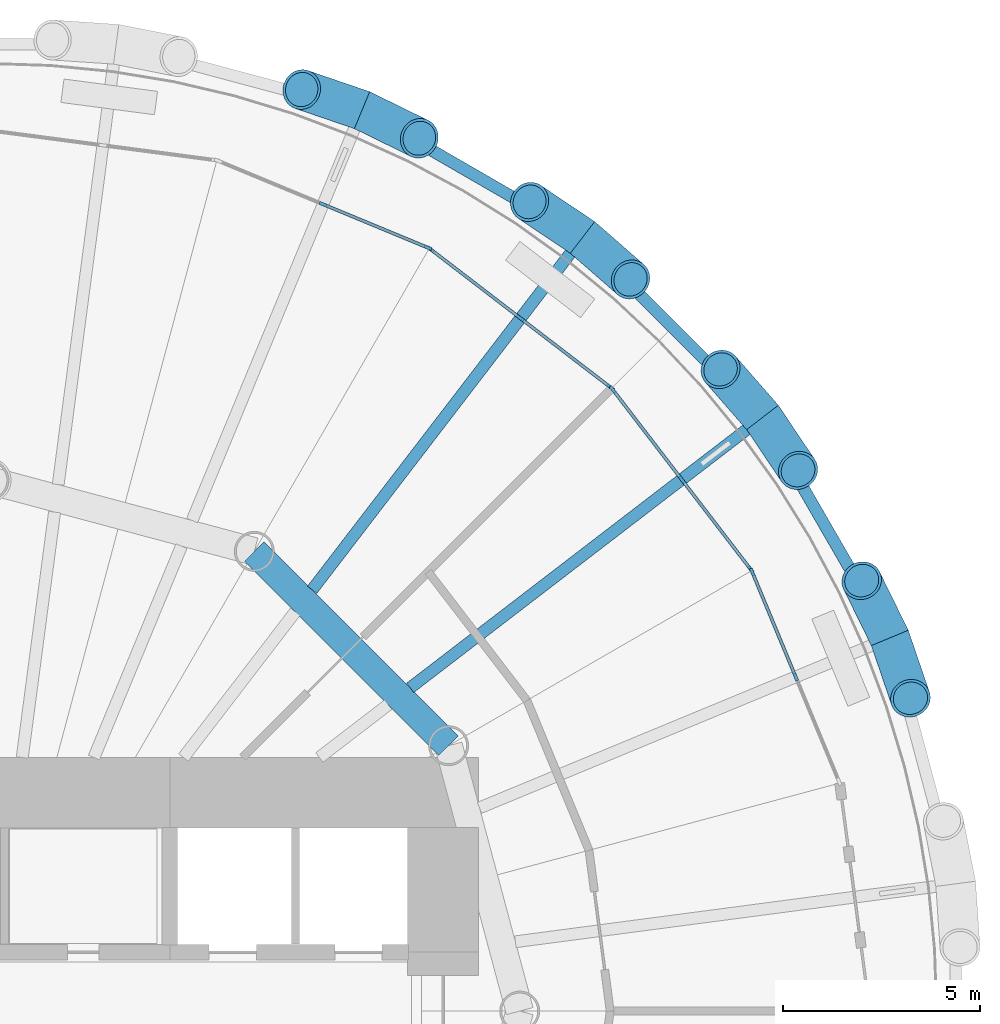
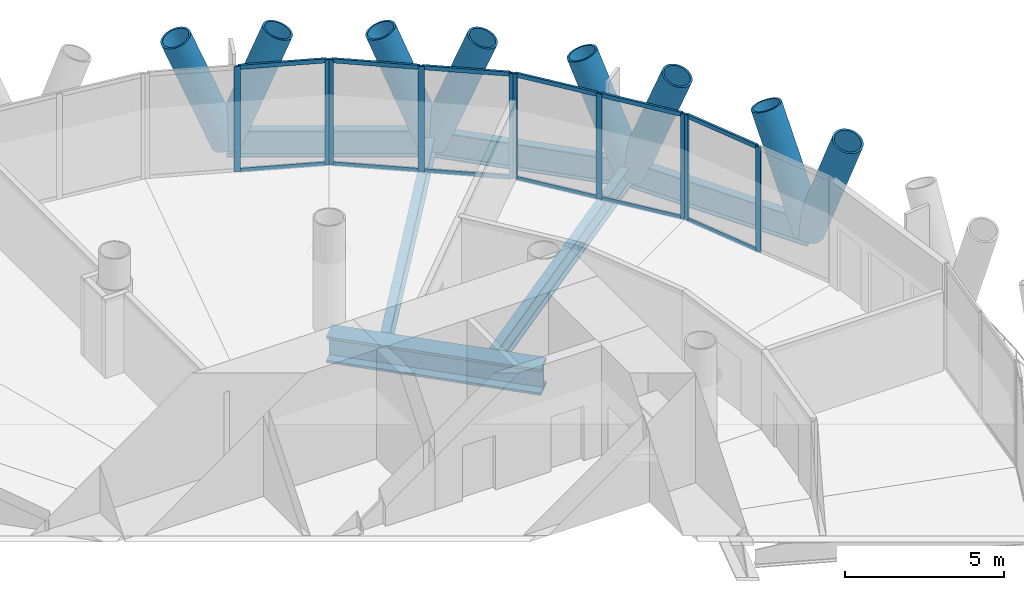
# One storey, part 6 of 14: 30 members, 6 beams, 4 elements without a shape of their own.
"""IFC4 building model written with IfcOpenShell, lengths in metres."""

from ifc_helpers import new_model, si_unit, direction, frame, origin, origin_2d, place, context, subcontext, project, spatial, rectangle, hollow_circle, i_section, extrude, material, material_profile, profile_set, type_object, element, aggregate, save


model = new_model("IFC4")

# Units and contexts
model_context = context("Model", 3, precision=1e-05, world=origin(), true_north=direction((0.0, 1.0)))
body_context = subcontext(model_context, "Body", "Model", "MODEL_VIEW")
ifc_project = project(units=[si_unit("LENGTHUNIT", "METRE"), si_unit("AREAUNIT", "SQUARE_METRE"), si_unit("VOLUMEUNIT", "CUBIC_METRE"), si_unit("PLANEANGLEUNIT", "RADIAN"), si_unit("MASSUNIT", "GRAM", prefix="KILO")], contexts=[model_context])

# Site, building, storey
site_placement = place(None, origin())
site = spatial("IfcSite", under=ifc_project, at=site_placement, CompositionType="ELEMENT")
building_placement = place(site_placement, origin())
building = spatial("IfcBuilding", under=site, at=building_placement, Name="Qaws Media Tower", CompositionType="ELEMENT")
storey_placement = place(building_placement, frame((0.0, 0.0, 152.0)))
storey = spatial("IfcBuildingStorey", under=building, at=storey_placement, Name="L34", CompositionType="ELEMENT", Elevation=152.0)

# Curtain wall, members
ifc_material_1 = material(Name="Aluminium and clear glass", Category="aluminium")
curtain_wall_type = type_object("IfcCurtainWallType", Name="Unitised curtain wall CW-B", PredefinedType="NOTDEFINED", material=ifc_material_1)
curtain_wall_1_placement = place(storey_placement, origin())
curtain_wall_1 = element("IfcCurtainWall", 1, at=curtain_wall_1_placement, inside=storey, type_object=curtain_wall_type, Name="CWB curtain wall L34-02", PredefinedType="NOTDEFINED")
ifc_material_2 = material(Name="Aluminium mullion", Category="aluminium")
ifc_material_profile_1 = material_profile(ifc_material_2, rectangle(XDim=0.080078125, YDim=0.199951171875, at=origin_2d()), Name="80x200")
ifc_profile_set_1 = profile_set([ifc_material_profile_1], Name="Aluminium mullion")
member_type_1 = type_object("IfcMemberType", Name="Curtain wall mullion 80x200", PredefinedType="MULLION", material=ifc_profile_set_1)
member_1_placement = place(storey_placement, frame((80.517822265625, 58.498779296875, 0.0), z_axis=(0.0, 0.0, 1.0), x_axis=(-0.923879490353, -0.382683534144, 0.0)))
member_1 = element("IfcMember", 2, at=member_1_placement, type_object=member_type_1, Name="CWB mullion 2", PredefinedType="MULLION", context=body_context, shape_type="SweptSolid", body=[
    extrude(rectangle(XDim=0.080078125, YDim=0.199951171875, at=origin_2d()), origin(), (0.0, 0.0, 1.0), 4.0400390625),
])
member_2_placement = place(storey_placement, frame((79.414306640625, 61.1630859375, 0.0), z_axis=(0.0, 0.0, 1.0), x_axis=(-0.923879490353, -0.382683534144, 0.0)))
member_2 = element("IfcMember", 3, at=member_2_placement, type_object=member_type_1, Name="CWB mullion 3", PredefinedType="MULLION", context=body_context, shape_type="SweptSolid", body=[
    extrude(rectangle(XDim=0.080078125, YDim=0.199951171875, at=origin_2d()), origin(), (0.0, 0.0, 1.0), 4.0400390625),
])

curtain_wall_2_placement = place(storey_placement, origin())
curtain_wall_2 = element("IfcCurtainWall", 4, at=curtain_wall_2_placement, inside=storey, type_object=curtain_wall_type, Name="CWB curtain wall L34-03", PredefinedType="NOTDEFINED")
member_3_placement = place(storey_placement, frame((79.37451171875, 61.231689453125, 0.0), z_axis=(0.0, 0.0, 1.0), x_axis=(-0.793353358789, -0.608761404902, 0.0)))
member_3 = element("IfcMember", 5, at=member_3_placement, type_object=member_type_1, Name="CWB mullion 1", PredefinedType="MULLION", context=body_context, shape_type="SweptSolid", body=[
    extrude(rectangle(XDim=0.080078125, YDim=0.199951171875, at=origin_2d()), origin(), (0.0, 0.0, 1.0), 4.0400390625),
])
member_4_placement = place(storey_placement, frame((77.619140625, 63.51953125, 0.0), z_axis=(0.0, 0.0, 1.0), x_axis=(-0.793353358789, -0.608761404902, 0.0)))
member_4 = element("IfcMember", 6, at=member_4_placement, type_object=member_type_1, Name="CWB mullion 2", PredefinedType="MULLION", context=body_context, shape_type="SweptSolid", body=[
    extrude(rectangle(XDim=0.080078125, YDim=0.199951171875, at=origin_2d()), origin(), (0.0, 0.0, 1.0), 4.0400390625),
])
member_5_placement = place(storey_placement, frame((75.863525390625, 65.807373046875, 0.0), z_axis=(0.0, 0.0, 1.0), x_axis=(-0.793353358789, -0.608761404902, 0.0)))
member_5 = element("IfcMember", 7, at=member_5_placement, type_object=member_type_1, Name="CWB mullion 3", PredefinedType="MULLION", context=body_context, shape_type="SweptSolid", body=[
    extrude(rectangle(XDim=0.080078125, YDim=0.199951171875, at=origin_2d()), origin(), (0.0, 0.0, 1.0), 4.0400390625),
])

curtain_wall_3_placement = place(storey_placement, origin())
curtain_wall_3 = element("IfcCurtainWall", 8, at=curtain_wall_3_placement, inside=storey, type_object=curtain_wall_type, Name="CWB curtain wall L34-04", PredefinedType="NOTDEFINED")
member_6_placement = place(storey_placement, frame((75.807373046875, 65.863525390625, 0.0), z_axis=(0.0, 0.0, 1.0), x_axis=(-0.608761404902, -0.793353358789, 0.0)))
member_6 = element("IfcMember", 9, at=member_6_placement, type_object=member_type_1, Name="CWB mullion 1", PredefinedType="MULLION", context=body_context, shape_type="SweptSolid", body=[
    extrude(rectangle(XDim=0.080078125, YDim=0.199951171875, at=origin_2d()), origin(), (0.0, 0.0, 1.0), 4.0400390625),
])
member_7_placement = place(storey_placement, frame((73.51953125, 67.619140625, 0.0), z_axis=(0.0, 0.0, 1.0), x_axis=(-0.608761404902, -0.793353358789, 0.0)))
member_7 = element("IfcMember", 10, at=member_7_placement, type_object=member_type_1, Name="CWB mullion 2", PredefinedType="MULLION", context=body_context, shape_type="SweptSolid", body=[
    extrude(rectangle(XDim=0.080078125, YDim=0.199951171875, at=origin_2d()), origin(), (0.0, 0.0, 1.0), 4.0400390625),
])
member_8_placement = place(storey_placement, frame((71.231689453125, 69.37451171875, 0.0), z_axis=(0.0, 0.0, 1.0), x_axis=(-0.608761404902, -0.793353358789, 0.0)))
member_8 = element("IfcMember", 11, at=member_8_placement, type_object=member_type_1, Name="CWB mullion 3", PredefinedType="MULLION", context=body_context, shape_type="SweptSolid", body=[
    extrude(rectangle(XDim=0.080078125, YDim=0.199951171875, at=origin_2d()), origin(), (0.0, 0.0, 1.0), 4.0400390625),
])

curtain_wall_4_placement = place(storey_placement, origin())
curtain_wall_4 = element("IfcCurtainWall", 12, at=curtain_wall_4_placement, inside=storey, type_object=curtain_wall_type, Name="CWB curtain wall L34-05", PredefinedType="NOTDEFINED")
member_9_placement = place(storey_placement, frame((71.1630859375, 69.414306640625, 0.0), z_axis=(0.0, 0.0, 1.0), x_axis=(-0.382683534144, -0.923879490353, 0.0)))
member_9 = element("IfcMember", 13, at=member_9_placement, type_object=member_type_1, Name="CWB mullion 1", PredefinedType="MULLION", context=body_context, shape_type="SweptSolid", body=[
    extrude(rectangle(XDim=0.080078125, YDim=0.199951171875, at=origin_2d()), origin(), (0.0, 0.0, 1.0), 4.0400390625),
])
member_10_placement = place(storey_placement, frame((68.498779296875, 70.517822265625, 0.0), z_axis=(0.0, 0.0, 1.0), x_axis=(-0.382683534144, -0.923879490353, 0.0)))
member_10 = element("IfcMember", 14, at=member_10_placement, type_object=member_type_1, Name="CWB mullion 2", PredefinedType="MULLION", context=body_context, shape_type="SweptSolid", body=[
    extrude(rectangle(XDim=0.080078125, YDim=0.199951171875, at=origin_2d()), origin(), (0.0, 0.0, 1.0), 4.0400390625),
])

# Member
ifc_material_3 = material(Name="Aluminium transom", Category="aluminium")
ifc_material_profile_2 = material_profile(ifc_material_3, rectangle(XDim=0.080078125, YDim=0.159912109375, at=origin_2d()), Name="80x160")
ifc_profile_set_2 = profile_set([ifc_material_profile_2], Name="Aluminium transom")
member_type_2 = type_object("IfcMemberType", Name="Curtain wall transom 80x160", PredefinedType="USERDEFINED", material=ifc_profile_set_2)
member_11_placement = place(storey_placement, frame((80.50244140625, 58.53564453125, 0.0400390625), z_axis=(-0.382623532262, 0.923904341671, 0.0), x_axis=(-0.923904341671, -0.382623532262, 0.0)))
member_11 = element("IfcMember", 15, at=member_11_placement, type_object=member_type_2, Name="CWB transom 2.1", ObjectType="TRANSOM", PredefinedType="USERDEFINED", context=body_context, shape_type="SweptSolid", body=[
    extrude(rectangle(XDim=0.080078125, YDim=0.159912109375, at=origin_2d()), origin(), (0.0, 0.0, 1.0), 2.8037109375),
])

member_12_placement = place(storey_placement, frame((80.50244140625, 58.53564453125, 4.0), z_axis=(-0.382623532262, 0.923904341671, 0.0), x_axis=(-0.923904341671, -0.382623532262, 0.0)))
member_12 = element("IfcMember", 16, at=member_12_placement, type_object=member_type_2, Name="CWB transom 2.2", ObjectType="TRANSOM", PredefinedType="USERDEFINED", context=body_context, shape_type="SweptSolid", body=[
    extrude(rectangle(XDim=0.080078125, YDim=0.159912109375, at=origin_2d()), origin(), (0.0, 0.0, 1.0), 2.8037109375),
])

aggregate(curtain_wall_1, [member_1, member_2, member_11, member_12])

member_13_placement = place(storey_placement, frame((79.350341796875, 61.263427734375, 0.0400390625), z_axis=(-0.608809864482, 0.793316172096, 0.0), x_axis=(-0.793316172096, -0.608809864482, 0.0)))
member_13 = element("IfcMember", 17, at=member_13_placement, type_object=member_type_2, Name="CWB transom 1.1", ObjectType="TRANSOM", PredefinedType="USERDEFINED", context=body_context, shape_type="SweptSolid", body=[
    extrude(rectangle(XDim=0.080078125, YDim=0.159912109375, at=origin_2d()), origin(), (0.0, 0.0, 1.0), 2.803955078125),
])

member_14_placement = place(storey_placement, frame((79.350341796875, 61.263427734375, 4.0), z_axis=(-0.608809864482, 0.793316172096, 0.0), x_axis=(-0.793316172096, -0.608809864482, 0.0)))
member_14 = element("IfcMember", 18, at=member_14_placement, type_object=member_type_2, Name="CWB transom 1.2", ObjectType="TRANSOM", PredefinedType="USERDEFINED", context=body_context, shape_type="SweptSolid", body=[
    extrude(rectangle(XDim=0.080078125, YDim=0.159912109375, at=origin_2d()), origin(), (0.0, 0.0, 1.0), 2.803955078125),
])

member_15_placement = place(storey_placement, frame((77.5947265625, 63.55126953125, 0.0400390625), z_axis=(-0.608755061094, 0.793358226524, 0.0), x_axis=(-0.793358226524, -0.608755061094, 0.0)))
member_15 = element("IfcMember", 19, at=member_15_placement, type_object=member_type_2, Name="CWB transom 2.1", ObjectType="TRANSOM", PredefinedType="USERDEFINED", context=body_context, shape_type="SweptSolid", body=[
    extrude(rectangle(XDim=0.080078125, YDim=0.159912109375, at=origin_2d()), origin(), (0.0, 0.0, 1.0), 2.8037109375),
])

member_16_placement = place(storey_placement, frame((77.5947265625, 63.55126953125, 4.0), z_axis=(-0.608755061094, 0.793358226524, 0.0), x_axis=(-0.793358226524, -0.608755061094, 0.0)))
member_16 = element("IfcMember", 20, at=member_16_placement, type_object=member_type_2, Name="CWB transom 2.2", ObjectType="TRANSOM", PredefinedType="USERDEFINED", context=body_context, shape_type="SweptSolid", body=[
    extrude(rectangle(XDim=0.080078125, YDim=0.159912109375, at=origin_2d()), origin(), (0.0, 0.0, 1.0), 2.8037109375),
])

aggregate(curtain_wall_2, [member_3, member_4, member_5, member_13, member_14, member_15, member_16])

member_17_placement = place(storey_placement, frame((75.775634765625, 65.887939453125, 0.0400390625), z_axis=(-0.793358226524, 0.608755061094, 0.0), x_axis=(-0.608755061094, -0.793358226524, 0.0)))
member_17 = element("IfcMember", 21, at=member_17_placement, type_object=member_type_2, Name="CWB transom 1.1", ObjectType="TRANSOM", PredefinedType="USERDEFINED", context=body_context, shape_type="SweptSolid", body=[
    extrude(rectangle(XDim=0.080078125, YDim=0.159912109375, at=origin_2d()), origin(), (0.0, 0.0, 1.0), 2.8037109375),
])

member_18_placement = place(storey_placement, frame((75.775634765625, 65.887939453125, 4.0), z_axis=(-0.793358226524, 0.608755061094, 0.0), x_axis=(-0.608755061094, -0.793358226524, 0.0)))
member_18 = element("IfcMember", 22, at=member_18_placement, type_object=member_type_2, Name="CWB transom 1.2", ObjectType="TRANSOM", PredefinedType="USERDEFINED", context=body_context, shape_type="SweptSolid", body=[
    extrude(rectangle(XDim=0.080078125, YDim=0.159912109375, at=origin_2d()), origin(), (0.0, 0.0, 1.0), 2.8037109375),
])

member_19_placement = place(storey_placement, frame((73.48779296875, 67.643310546875, 0.0400390625), z_axis=(-0.793316172096, 0.608809864482, 0.0), x_axis=(-0.608809864482, -0.793316172096, 0.0)))
member_19 = element("IfcMember", 23, at=member_19_placement, type_object=member_type_2, Name="CWB transom 2.1", ObjectType="TRANSOM", PredefinedType="USERDEFINED", context=body_context, shape_type="SweptSolid", body=[
    extrude(rectangle(XDim=0.080078125, YDim=0.159912109375, at=origin_2d()), origin(), (0.0, 0.0, 1.0), 2.803955078125),
])

member_20_placement = place(storey_placement, frame((73.48779296875, 67.643310546875, 4.0), z_axis=(-0.793316172096, 0.608809864482, 0.0), x_axis=(-0.608809864482, -0.793316172096, 0.0)))
member_20 = element("IfcMember", 24, at=member_20_placement, type_object=member_type_2, Name="CWB transom 2.2", ObjectType="TRANSOM", PredefinedType="USERDEFINED", context=body_context, shape_type="SweptSolid", body=[
    extrude(rectangle(XDim=0.080078125, YDim=0.159912109375, at=origin_2d()), origin(), (0.0, 0.0, 1.0), 2.803955078125),
])

aggregate(curtain_wall_3, [member_6, member_7, member_8, member_17, member_18, member_19, member_20])

member_21_placement = place(storey_placement, frame((71.1259765625, 69.4296875, 0.0400390625), z_axis=(-0.923904341671, 0.382623532262, 0.0), x_axis=(-0.382623532262, -0.923904341671, 0.0)))
member_21 = element("IfcMember", 25, at=member_21_placement, type_object=member_type_2, Name="CWB transom 1.1", ObjectType="TRANSOM", PredefinedType="USERDEFINED", context=body_context, shape_type="SweptSolid", body=[
    extrude(rectangle(XDim=0.080078125, YDim=0.159912109375, at=origin_2d()), origin(), (0.0, 0.0, 1.0), 2.8037109375),
])

member_22_placement = place(storey_placement, frame((71.1259765625, 69.4296875, 4.0), z_axis=(-0.923904341671, 0.382623532262, 0.0), x_axis=(-0.382623532262, -0.923904341671, 0.0)))
member_22 = element("IfcMember", 26, at=member_22_placement, type_object=member_type_2, Name="CWB transom 1.2", ObjectType="TRANSOM", PredefinedType="USERDEFINED", context=body_context, shape_type="SweptSolid", body=[
    extrude(rectangle(XDim=0.080078125, YDim=0.159912109375, at=origin_2d()), origin(), (0.0, 0.0, 1.0), 2.8037109375),
])

aggregate(curtain_wall_4, [member_9, member_10, member_21, member_22])

# Members
ifc_material_4 = material(Name="Steel S460", Category="steel")
ifc_material_profile_3 = material_profile(ifc_material_4, hollow_circle(Radius=0.508056640625, WallThickness=0.070068359375, at=origin_2d()), Name="CHS 1016x70")
ifc_profile_set_3 = profile_set([ifc_material_profile_3], Name="Steel S460")
member_type_3 = type_object("IfcMemberType", Name="Diagrid member CHS 1016x70", PredefinedType="USERDEFINED", material=ifc_profile_set_3)
for number, where, z_axis, x_axis, name in (
    (27, (82.912109375, 59.490478515625, -0.6640625), (-0.158720229381, 0.323405346097, 0.932854153071), (-0.897714157558, -0.440578360022, 0.0), "DG3 diagrid L34 A02"),
    (28, (82.912109375, 59.490478515625, -0.6640625), (0.116477357075, -0.340918595871, 0.932849149797), (0.946293709048, 0.323308237162, 0.0), "DG3 diagrid L34 B02"),
    (29, (79.675048828125, 65.09716796875, -0.6640625), (-0.236968604592, 0.271348031437, 0.932853753958), (-0.753210401696, -0.657779667348, 0.0), "DG3 diagrid L34 A03"),
    (30, (79.675048828125, 65.09716796875, -0.6640625), (0.200743958142, -0.29916380796, 0.932846653677), (0.830379316949, 0.557198519366, 0.0), "DG3 diagrid L34 B03"),
    (31, (75.09716796875, 69.675048828125, -0.6640625), (-0.29916380796, 0.200743958142, 0.932846653677), (-0.557198519366, -0.830379316949, 0.0), "DG3 diagrid L34 A04"),
    (32, (75.09716796875, 69.675048828125, -0.6640625), (0.271348031437, -0.236968604592, 0.932853753958), (0.657779667348, 0.753210401696, 0.0), "DG3 diagrid L34 B04"),
    (33, (69.490478515625, 72.912109375, -0.6640625), (-0.340918595871, 0.116477357075, 0.932849149797), (-0.323308237162, -0.946293709048, 0.0), "DG3 diagrid L34 A05"),
    (34, (69.490478515625, 72.912109375, -0.6640625), (0.323405346097, -0.158720229381, 0.932854153071), (0.440578360022, 0.897714157558, 0.0), "DG3 diagrid L34 B05"),
):
    element("IfcMember", number, at=place(storey_placement, frame(where, z_axis=z_axis, x_axis=x_axis)), inside=storey, type_object=member_type_3, Name=name, ObjectType="DIAGRID", PredefinedType="USERDEFINED", context=body_context, shape_type="SweptSolid", body=[
        extrude(hollow_circle(Radius=0.508056640625, WallThickness=0.070068359375, at=origin_2d()), origin(), (0.0, 0.0, 1.0), 4.502197265625),
    ])

# Beams
ifc_material_5 = material(Name="Steel S460", Category="steel")
ifc_material_profile_4 = material_profile(ifc_material_5, i_section(OverallWidth=0.302001953125, OverallDepth=1.008056640625, WebThickness=0.02099609375, FlangeThickness=0.0400390625, FilletRadius=0.030029296875, at=origin_2d()), Name="HE 1000 M")
ifc_profile_set_4 = profile_set([ifc_material_profile_4], Name="Steel S460")
beam_type_1 = type_object("IfcBeamType", Name="Edge ring beam HE 1000 M", PredefinedType="BEAM", material=ifc_profile_set_4)
for number, where, z_axis, x_axis, name in (
    (35, (82.912109375, 59.490478515625, -0.6640625), (-0.500004272639, 0.866022936961, 0.0), (-0.866022936961, -0.500004272639, 0.0), "RB3 edge ring beam L34-02"),
    (36, (79.675048828125, 65.09716796875, -0.6640625), (-0.707106781187, 0.707106781187, 0.0), (-0.707106781187, -0.707106781187, 0.0), "RB3 edge ring beam L34-03"),
    (37, (75.09716796875, 69.675048828125, -0.6640625), (-0.866022936961, 0.500004272639, 0.0), (-0.500004272639, -0.866022936961, 0.0), "RB3 edge ring beam L34-04"),
):
    element("IfcBeam", number, at=place(storey_placement, frame(where, z_axis=z_axis, x_axis=x_axis)), inside=storey, type_object=beam_type_1, Name=name, PredefinedType="BEAM", context=body_context, shape_type="SweptSolid", body=[
        extrude(i_section(OverallWidth=0.302001953125, OverallDepth=1.008056640625, WebThickness=0.02099609375, FlangeThickness=0.0400390625, FilletRadius=0.030029296875, at=origin_2d()), origin(), (0.0, 0.0, 1.0), 6.47412109375),
    ])
ifc_material_6 = material(Name="Steel S460", Category="steel")
ifc_material_profile_5 = material_profile(ifc_material_6, i_section(OverallWidth=0.699951171875, OverallDepth=1.0, WebThickness=0.034912109375, FlangeThickness=0.090087890625, at=origin_2d()), Name="PG 1000x700")
ifc_profile_set_5 = profile_set([ifc_material_profile_5], Name="Steel S460")
beam_type_2 = type_object("IfcBeamType", Name="Inner ring girder PG 1000x700", PredefinedType="BEAM", material=ifc_profile_set_5)
beam_placement = place(storey_placement, frame((71.69140625, 56.75, -0.659912109375), z_axis=(-0.707106781187, 0.707106781187, 0.0), x_axis=(-0.707106781187, -0.707106781187, 0.0)))
element("IfcBeam", 38, at=beam_placement, inside=storey, type_object=beam_type_2, Name="B3 inner ring beam L34 I02-I03", PredefinedType="BEAM", context=body_context, shape_type="SweptSolid", body=[
    extrude(i_section(OverallWidth=0.699951171875, OverallDepth=1.0, WebThickness=0.034912109375, FlangeThickness=0.090087890625, at=origin_2d()), origin(), (0.0, 0.0, 1.0), 6.98828125),
])
ifc_material_7 = material(Name="Steel S355", Category="steel")
ifc_material_profile_6 = material_profile(ifc_material_7, i_section(OverallWidth=0.300048828125, OverallDepth=0.800048828125, WebThickness=0.017578125, FlangeThickness=0.032958984375, FilletRadius=0.030029296875, at=origin_2d()), Name="HE 800 B")
ifc_profile_set_6 = profile_set([ifc_material_profile_6], Name="Steel S355")
beam_type_3 = type_object("IfcBeamType", Name="Radial beam HE 800 B", PredefinedType="BEAM", material=ifc_profile_set_6)
for number, where, z_axis, x_axis, name in (
    (39, (70.714599609375, 58.2216796875, -0.56005859375), (0.79335788277, 0.608755509089, 0.0), (-0.608755509089, 0.79335788277, 0.0), "B1 radial beam L34 03"),
    (40, (68.2216796875, 60.714599609375, -0.56005859375), (0.608755509089, 0.79335788277, 0.0), (-0.79335788277, 0.608755509089, 0.0), "B1 radial beam L34 04"),
):
    element("IfcBeam", number, at=place(storey_placement, frame(where, z_axis=z_axis, x_axis=x_axis)), inside=storey, type_object=beam_type_3, Name=name, PredefinedType="BEAM", context=body_context, shape_type="SweptSolid", body=[
        extrude(i_section(OverallWidth=0.300048828125, OverallDepth=0.800048828125, WebThickness=0.017578125, FlangeThickness=0.032958984375, FilletRadius=0.030029296875, at=origin_2d()), origin(), (0.0, 0.0, 1.0), 11.29443359375),
    ])

save(model, "model.ifc")
